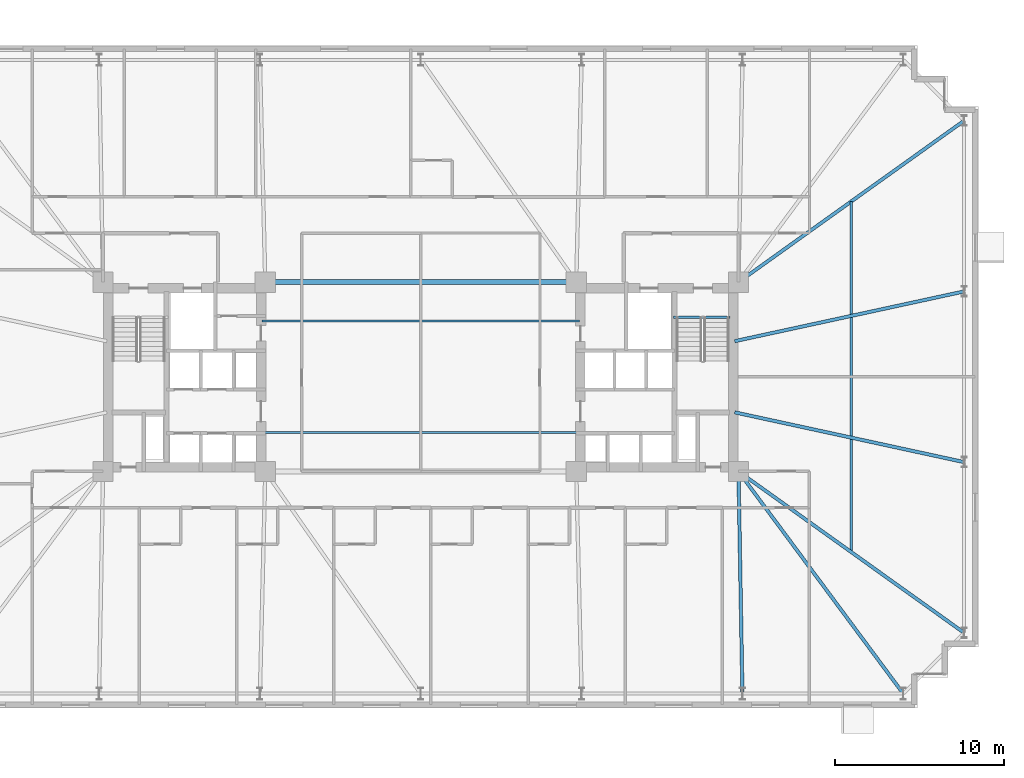
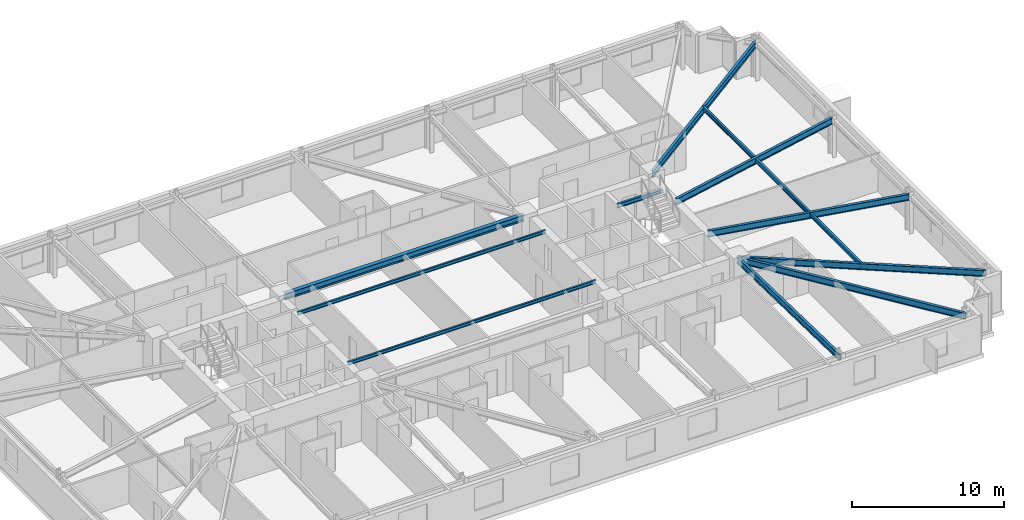
# One storey, part 7 of 20: 11 beams.
"""IFC4 building model written with IfcOpenShell, lengths in metres."""

from ifc_helpers import new_model, si_unit, direction, frame, origin, origin_2d, place, context, subcontext, project, spatial, i_section, extrude, material, material_profile, profile_set, type_object, element, save


model = new_model("IFC4")

# Units and contexts
model_context = context("Model", 3, precision=1e-05, world=origin(), true_north=direction((0.0, 1.0)))
body_context = subcontext(model_context, "Body", "Model", "MODEL_VIEW")
ifc_project = project(units=[si_unit("LENGTHUNIT", "METRE"), si_unit("AREAUNIT", "SQUARE_METRE"), si_unit("VOLUMEUNIT", "CUBIC_METRE"), si_unit("PLANEANGLEUNIT", "RADIAN"), si_unit("MASSUNIT", "GRAM", prefix="KILO")], contexts=[model_context])

# Site, building, storey
site_placement = place(None, origin())
site = spatial("IfcSite", under=ifc_project, at=site_placement, CompositionType="ELEMENT")
building_placement = place(site_placement, origin())
building = spatial("IfcBuilding", under=site, at=building_placement, Name="Qobustan Lattice House", CompositionType="ELEMENT")
storey_placement = place(building_placement, frame((0.0, 0.0, 63.85009765625)))
storey = spatial("IfcBuildingStorey", under=building, at=storey_placement, Name="L17", CompositionType="ELEMENT", Elevation=63.85009765625)

# Beams
ifc_material_1 = material(Name="Steel S355", Category="steel")
ifc_material_profile_1 = material_profile(ifc_material_1, i_section(OverallWidth=0.300048828125, OverallDepth=0.5, WebThickness=0.014404296875, FlangeThickness=0.028076171875, FilletRadius=0.027099609375, at=origin_2d()), Name="HEB500")
ifc_profile_set_1 = profile_set([ifc_material_profile_1], Name="Steel S355")
beam_type_1 = type_object("IfcBeamType", Name="BM-CG-HEB500", PredefinedType="USERDEFINED", material=ifc_profile_set_1)
beam_1_placement = place(storey_placement, frame((-9.050048828125, 5.60009765625, 2.784912109375), z_axis=(1.0, 0.0, 0.0), x_axis=(0.0, 1.0, 0.0)))
element("IfcBeam", 1, at=beam_1_placement, inside=storey, type_object=beam_type_1, Name="L17 core spine girder CG-CN", ObjectType="GIRDER", PredefinedType="USERDEFINED", context=body_context, shape_type="SweptSolid", body=[
    extrude(i_section(OverallWidth=0.300048828125, OverallDepth=0.5, WebThickness=0.014404296875, FlangeThickness=0.028076171875, FilletRadius=0.027099609375, at=origin_2d()), origin(), (0.0, 0.0, 1.0), 18.10009765625),
])
ifc_material_2 = material(Name="Steel S355", Category="steel")
ifc_material_profile_2 = material_profile(ifc_material_2, i_section(OverallWidth=0.199951171875, OverallDepth=0.5, WebThickness=0.01025390625, FlangeThickness=0.01611328125, FilletRadius=0.02099609375, at=origin_2d()), Name="IPE500")
ifc_profile_set_2 = profile_set([ifc_material_profile_2], Name="Steel S355")
beam_type_2 = type_object("IfcBeamType", Name="BM-FLG-IPE500", PredefinedType="USERDEFINED", material=ifc_profile_set_2)
beam_2_placement = place(storey_placement, frame((19.032958984375, -18.72509765625, 2.784912109375), z_axis=(-0.017757831607, 0.999842317276, 0.0), x_axis=(-0.999842317276, -0.017757831607, 0.0)))
element("IfcBeam", 2, at=beam_2_placement, inside=storey, type_object=beam_type_2, Name="L17 primary floor girder RAD-S6", ObjectType="GIRDER", PredefinedType="USERDEFINED", context=body_context, shape_type="SweptSolid", body=[
    extrude(i_section(OverallWidth=0.199951171875, OverallDepth=0.5, WebThickness=0.01025390625, FlangeThickness=0.01611328125, FilletRadius=0.02099609375, at=origin_2d()), origin(), (0.0, 0.0, 1.0), 13.10205078125),
])
beam_3_placement = place(storey_placement, frame((28.53515625, -18.72998046875, 2.784912109375), z_axis=(-0.5955916815, 0.803287338956, 0.0), x_axis=(-0.803287338956, -0.5955916815, 0.0)))
element("IfcBeam", 3, at=beam_3_placement, inside=storey, type_object=beam_type_2, Name="L17 primary floor girder RAD-S7E", ObjectType="GIRDER", PredefinedType="USERDEFINED", context=body_context, shape_type="SweptSolid", body=[
    extrude(i_section(OverallWidth=0.199951171875, OverallDepth=0.5, WebThickness=0.01025390625, FlangeThickness=0.01611328125, FilletRadius=0.02099609375, at=origin_2d()), origin(), (0.0, 0.0, 1.0), 16.3203125),
])
beam_4_placement = place(storey_placement, frame((32.129638671875, 15.135498046875, 2.784912109375), z_axis=(-0.813318954893, -0.581818079481, 0.0), x_axis=(0.581818079481, -0.813318954893, 0.0)))
element("IfcBeam", 4, at=beam_4_placement, inside=storey, type_object=beam_type_2, Name="L17 primary floor girder RAD-E4", ObjectType="GIRDER", PredefinedType="USERDEFINED", context=body_context, shape_type="SweptSolid", body=[
    extrude(i_section(OverallWidth=0.199951171875, OverallDepth=0.5, WebThickness=0.01025390625, FlangeThickness=0.01611328125, FilletRadius=0.02099609375, at=origin_2d()), origin(), (0.0, 0.0, 1.0), 16.3642578125),
])
for number, where, z_axis, x_axis, name in (
    (5, (32.12548828125, 5.044677734375, 2.784912109375), (-0.97727240275, -0.211987383643, 0.0), (0.211987383643, -0.97727240275, 0.0), "L17 primary floor girder RAD-E3"),
    (6, (32.12548828125, -5.044677734375, 2.784912109375), (-0.97727240275, 0.211987383643, 0.0), (-0.211987383643, -0.97727240275, 0.0), "L17 primary floor girder RAD-E2"),
):
    element("IfcBeam", number, at=place(storey_placement, frame(where, z_axis=z_axis, x_axis=x_axis)), inside=storey, type_object=beam_type_2, Name=name, ObjectType="GIRDER", PredefinedType="USERDEFINED", context=body_context, shape_type="SweptSolid", body=[
        extrude(i_section(OverallWidth=0.199951171875, OverallDepth=0.5, WebThickness=0.01025390625, FlangeThickness=0.01611328125, FilletRadius=0.02099609375, at=origin_2d()), origin(), (0.0, 0.0, 1.0), 13.8662109375),
    ])
beam_5_placement = place(storey_placement, frame((32.129638671875, -15.135498046875, 2.784912109375), z_axis=(-0.813318954893, 0.581818079481, 0.0), x_axis=(-0.581818079481, -0.813318954893, 0.0)))
element("IfcBeam", 7, at=beam_5_placement, inside=storey, type_object=beam_type_2, Name="L17 primary floor girder RAD-E1", ObjectType="GIRDER", PredefinedType="USERDEFINED", context=body_context, shape_type="SweptSolid", body=[
    extrude(i_section(OverallWidth=0.199951171875, OverallDepth=0.5, WebThickness=0.01025390625, FlangeThickness=0.01611328125, FilletRadius=0.02099609375, at=origin_2d()), origin(), (0.0, 0.0, 1.0), 16.3642578125),
])
ifc_material_3 = material(Name="Steel S355", Category="steel")
ifc_material_profile_3 = material_profile(ifc_material_3, i_section(OverallWidth=0.135009765625, OverallDepth=0.27001953125, WebThickness=0.006591796875, FlangeThickness=0.01025390625, FilletRadius=0.014892578125, at=origin_2d()), Name="IPE270")
ifc_profile_set_3 = profile_set([ifc_material_profile_3], Name="Steel S355")
beam_type_3 = type_object("IfcBeamType", Name="BM-JST-IPE270", PredefinedType="JOIST", material=ifc_profile_set_3)
for number, where, z_axis, x_axis, name in (
    (8, (-9.39990234375, -3.300048828125, 2.89990234375), (1.0, 0.0, 0.0), (0.0, 1.0, 0.0), "L17 central span floor joist 1"),
    (9, (-9.39990234375, 3.300048828125, 2.89990234375), (1.0, 0.0, 0.0), (0.0, 1.0, 0.0), "L17 central span floor joist 2"),
):
    element("IfcBeam", number, at=place(storey_placement, frame(where, z_axis=z_axis, x_axis=x_axis)), inside=storey, type_object=beam_type_3, Name=name, PredefinedType="JOIST", context=body_context, shape_type="SweptSolid", body=[
        extrude(i_section(OverallWidth=0.135009765625, OverallDepth=0.27001953125, WebThickness=0.006591796875, FlangeThickness=0.01025390625, FilletRadius=0.014892578125, at=origin_2d()), origin(), (0.0, 0.0, 1.0), 18.7998046875),
    ])
ifc_material_4 = material(Name="Steel S355", Category="steel")
ifc_material_profile_4 = material_profile(ifc_material_4, i_section(OverallWidth=0.159912109375, OverallDepth=0.330078125, WebThickness=0.007568359375, FlangeThickness=0.011474609375, FilletRadius=0.01806640625, at=origin_2d()), Name="IPE330")
ifc_profile_set_4 = profile_set([ifc_material_profile_4], Name="Steel S355")
beam_type_4 = type_object("IfcBeamType", Name="BM-SEC-IPE330", PredefinedType="BEAM", material=ifc_profile_set_4)
beam_6_placement = place(storey_placement, frame((25.47509765625, 10.375, 2.869873046875), z_axis=(0.0, -1.0, 0.0), x_axis=(1.0, 0.0, 0.0)))
element("IfcBeam", 10, at=beam_6_placement, inside=storey, type_object=beam_type_4, Name="L17 east wing secondary beam", PredefinedType="BEAM", context=body_context, shape_type="SweptSolid", body=[
    extrude(i_section(OverallWidth=0.159912109375, OverallDepth=0.330078125, WebThickness=0.007568359375, FlangeThickness=0.011474609375, FilletRadius=0.01806640625, at=origin_2d()), origin(), (0.0, 0.0, 1.0), 20.75),
])
ifc_material_5 = material(Name="Steel S355", Category="steel")
ifc_material_profile_5 = material_profile(ifc_material_5, i_section(OverallWidth=0.159912109375, OverallDepth=0.330078125, WebThickness=0.007568359375, FlangeThickness=0.011474609375, FilletRadius=0.01806640625, at=origin_2d()), Name="IPE330")
ifc_profile_set_5 = profile_set([ifc_material_profile_5], Name="Steel S355")
beam_type_5 = type_object("IfcBeamType", Name="BM-SPD-IPE330", PredefinedType="SPANDREL", material=ifc_profile_set_5)
beam_7_placement = place(storey_placement, frame((14.949951171875, 3.52001953125, 2.869873046875), z_axis=(1.0, 0.0, 0.0), x_axis=(0.0, 1.0, 0.0)))
element("IfcBeam", 11, at=beam_7_placement, inside=storey, type_object=beam_type_5, Name="L17 east stair landing trimmer beam", PredefinedType="SPANDREL", context=body_context, shape_type="SweptSolid", body=[
    extrude(i_section(OverallWidth=0.159912109375, OverallDepth=0.330078125, WebThickness=0.007568359375, FlangeThickness=0.011474609375, FilletRadius=0.01806640625, at=origin_2d()), origin(), (0.0, 0.0, 1.0), 3.35009765625),
])

save(model, "model.ifc")
